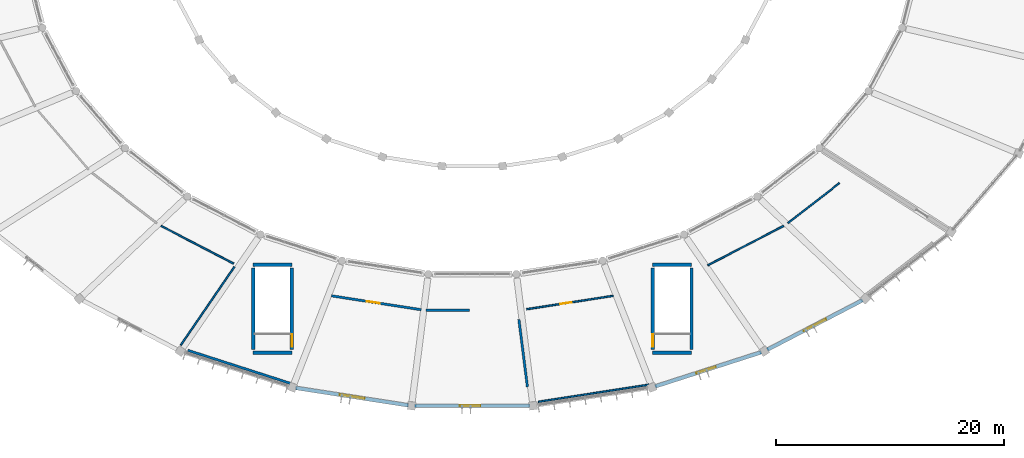
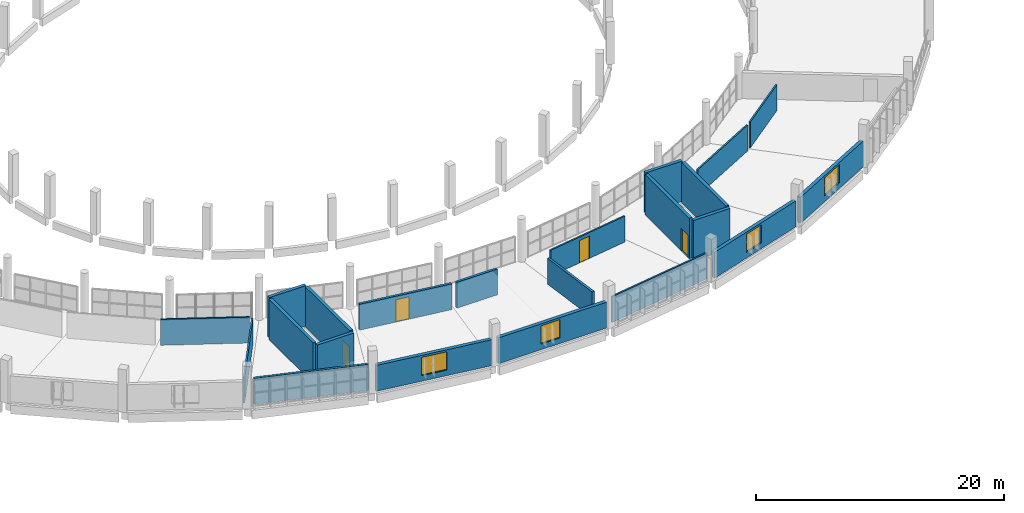
# One storey, part 97 of 142: 22 walls, 4 doors, 4 windows, 8 openings.
"""IFC4 building model written with IfcOpenShell, lengths in metres."""

from ifc_helpers import new_model, si_unit, direction, frame, frame_2d, origin, place, context, subcontext, project, spatial, rectangle, extrude, material, layer, layer_set, type_object, element, fill, save


model = new_model("IFC4")

# Units and contexts
model_context = context("Model", 3, precision=1e-05, world=origin(), true_north=direction((0.0, 1.0)))
body_context = subcontext(model_context, "Body", "Model", "MODEL_VIEW")
ifc_project = project(units=[si_unit("LENGTHUNIT", "METRE"), si_unit("AREAUNIT", "SQUARE_METRE"), si_unit("VOLUMEUNIT", "CUBIC_METRE"), si_unit("PLANEANGLEUNIT", "RADIAN"), si_unit("MASSUNIT", "GRAM", prefix="KILO")], contexts=[model_context])

# Site, building, storey
site_placement = place(None, origin())
site = spatial("IfcSite", under=ifc_project, at=site_placement, CompositionType="ELEMENT")
building_placement = place(site_placement, origin())
building = spatial("IfcBuilding", under=site, at=building_placement, Name="Corvandel Quay Wholesale Market", CompositionType="ELEMENT")
storey_placement = place(building_placement, frame((0.0, 0.0, 10.800048828125)))
storey = spatial("IfcBuildingStorey", under=building, at=storey_placement, Name="L02", CompositionType="ELEMENT", Elevation=10.800048828125)

# Wall
ifc_material_1 = material(Name="Gypsum-clad steel stud framing", Category="steel")
ifc_layer_1 = layer(ifc_material_1, 0.2099609375)
ifc_layer_set_1 = layer_set([ifc_layer_1], Name="Gypsum-clad steel stud framing")
wall_type_1 = type_object("IfcWallType", Name="Corridor Rated Partition PT02 210", PredefinedType="PARTITIONING", material=ifc_layer_set_1)
wall_1_placement = place(storey_placement, frame((98.1044921875, 1.95458984375, 0.0), z_axis=(0.0, 0.0, 1.0), x_axis=(-0.951831028097, 0.306623048632, 0.0)))
element("IfcWall", 1, at=wall_1_placement, inside=storey, type_object=wall_type_1, Name="Interior Wall IW-0553", PredefinedType="PARTITIONING", context=body_context, shape_type="SweptSolid", body=[
    extrude(rectangle(XDim=9.487060546875, YDim=0.2099609375, at=frame_2d((4.74365234375, 0.0))), origin(), (0.0, 0.0, 1.0), 2.550048828125),
])

# Wall, opening, door
wall_2_placement = place(storey_placement, frame((101.65234375, 9.63720703125, 0.0), z_axis=(0.0, 0.0, 1.0), x_axis=(0.988219840668, -0.153040996176, 0.0)))
wall_2 = element("IfcWall", 2, at=wall_2_placement, inside=storey, type_object=wall_type_1, Name="Interior Wall IW-0554", PredefinedType="PARTITIONING", context=body_context, shape_type="SweptSolid", body=[
    extrude(rectangle(XDim=7.9619140625, YDim=0.2099609375, at=frame_2d((3.98095703125, 0.0))), origin(), (0.0, 0.0, 1.0), 2.550048828125),
])
opening_1_placement = place(wall_2_placement, frame((3.131103515625, 0.0, 0.0)))
opening_1 = element("IfcOpeningElement", 3, at=opening_1_placement, cuts=wall_2, Name="Opening L02-D035", PredefinedType="OPENING", context=body_context, shape_type="SweptSolid", body=[
    extrude(rectangle(XDim=1.14990234375, YDim=2.199951171875, at=frame_2d((0.574951171875, 1.10009765625))), frame((0.0, 0.114990234375, 0.0), z_axis=(0.0, -1.0, 0.0), x_axis=(1.0, 0.0, 0.0)), (0.0, 0.0, 1.0), 0.22998046875),
])
ifc_material_2 = material(Name="HPL-faced hygienic timber core", Category="wood")
door_type_1 = type_object("IfcDoorType", Name="Inspection Suite Door ID21 1150x2200R", OperationType="SINGLE_SWING_RIGHT", PredefinedType="DOOR", material=ifc_material_2)
door_1_placement = place(opening_1_placement, origin())
door_1 = element("IfcDoor", 4, at=door_1_placement, inside=storey, type_object=door_type_1, Name="Horticultural Export Inspection Suite Door", OperationType="SINGLE_SWING_RIGHT", OverallHeight=2.199951171875, OverallWidth=1.14990234375, PredefinedType="DOOR", context=body_context, shape_type="SweptSolid", body=[
    extrude(rectangle(XDim=1.14990234375, YDim=2.199951171875, at=frame_2d((0.574951171875, 1.10009765625))), frame((0.0, 0.02490234375, 0.0), z_axis=(0.0, -1.0, 0.0), x_axis=(1.0, 0.0, 0.0)), (0.0, 0.0, 1.0), 0.050048828125),
])
fill(opening_1, door_1)

# Walls
wall_3_placement = place(storey_placement, frame((109.9580078125, 8.385009765625, 0.0), z_axis=(0.0, 0.0, 1.0), x_axis=(0.999999966485, -0.000258899668, 0.0)))
element("IfcWall", 5, at=wall_3_placement, inside=storey, type_object=wall_type_1, Name="Interior Wall IW-0555", PredefinedType="PARTITIONING", context=body_context, shape_type="SweptSolid", body=[
    extrude(rectangle(XDim=3.77197265625, YDim=0.2099609375, at=frame_2d((1.885986328125, 0.0))), origin(), (0.0, 0.0, 1.0), 2.550048828125),
])
wall_4_placement = place(storey_placement, frame((118.07763671875, 7.572509765625, 0.0), z_axis=(0.0, 0.0, 1.0), x_axis=(0.125609828924, -0.992079720021, 0.0)))
element("IfcWall", 6, at=wall_4_placement, inside=storey, type_object=wall_type_1, Name="Interior Wall IW-0556", PredefinedType="PARTITIONING", context=body_context, shape_type="SweptSolid", body=[
    extrude(rectangle(XDim=5.951416015625, YDim=0.2099609375, at=frame_2d((2.9755859375, 0.0))), origin(), (0.0, 0.0, 1.0), 2.550048828125),
])
ifc_material_3 = material(Name="Double-layer acoustic gypsum stud partition")
ifc_layer_2 = layer(ifc_material_3, 0.139892578125)
ifc_layer_set_2 = layer_set([ifc_layer_2], Name="Double-layer acoustic gypsum stud partition")
wall_type_2 = type_object("IfcWallType", Name="Office Acoustic Partition PT07 140", PredefinedType="PARTITIONING", material=ifc_layer_set_2)
wall_5_placement = place(storey_placement, frame((86.72314453125, 15.7666015625, 0.0), z_axis=(0.0, 0.0, 1.0), x_axis=(0.887310345139, -0.461172799946, 0.0)))
element("IfcWall", 7, at=wall_5_placement, inside=storey, type_object=wall_type_2, Name="Interior Wall IW-0551", PredefinedType="PARTITIONING", context=body_context, shape_type="SweptSolid", body=[
    extrude(rectangle(XDim=7.177490234375, YDim=0.139892578125, at=frame_2d((3.5888671875, 0.0))), origin(), (0.0, 0.0, 1.0), 2.550048828125),
])
wall_6_placement = place(storey_placement, frame((93.162353515625, 12.173583984375, 0.0), z_axis=(0.0, 0.0, 1.0), x_axis=(-0.566432825246, -0.824107914343, 0.0)))
element("IfcWall", 8, at=wall_6_placement, inside=storey, type_object=wall_type_2, Name="Interior Wall IW-0552", PredefinedType="PARTITIONING", context=body_context, shape_type="SweptSolid", body=[
    extrude(rectangle(XDim=8.311279296875, YDim=0.139892578125, at=frame_2d((4.15576171875, 0.0))), origin(), (0.0, 0.0, 1.0), 2.550048828125),
])
wall_7_placement = place(storey_placement, frame((134.625244140625, 12.30859375, 0.0), z_axis=(0.0, 0.0, 1.0), x_axis=(0.887262118728, 0.461265577158, 0.0)))
element("IfcWall", 9, at=wall_7_placement, inside=storey, type_object=wall_type_2, Name="Interior Wall IW-0557", PredefinedType="PARTITIONING", context=body_context, shape_type="SweptSolid", body=[
    extrude(rectangle(XDim=7.496826171875, YDim=0.139892578125, at=frame_2d((3.74853515625, 0.0))), origin(), (0.0, 0.0, 1.0), 2.550048828125),
])
wall_8_placement = place(storey_placement, frame((141.645751953125, 16.0029296875, 0.0), z_axis=(0.0, 0.0, 1.0), x_axis=(0.7895155835, 0.613730513671, 0.0)))
element("IfcWall", 10, at=wall_8_placement, inside=storey, type_object=wall_type_2, Name="Interior Wall IW-0558", PredefinedType="PARTITIONING", context=body_context, shape_type="SweptSolid", body=[
    extrude(rectangle(XDim=5.71240234375, YDim=0.139892578125, at=frame_2d((2.856201171875, 0.0))), origin(), (0.0, 0.0, 1.0), 2.550048828125),
])
wall_9_placement = place(storey_placement, frame((129.468505859375, 1.853515625, 0.0), z_axis=(0.0, 0.0, 1.0), x_axis=(-0.988245282414, -0.152876622761, 0.0)))
element("IfcWall", 11, at=wall_9_placement, inside=storey, type_object=wall_type_2, Name="Interior Wall IW-0560", PredefinedType="PARTITIONING", context=body_context, shape_type="SweptSolid", body=[
    extrude(rectangle(XDim=9.805419921875, YDim=0.139892578125, at=frame_2d((4.90283203125, 0.0))), origin(), (0.0, 0.0, 1.0), 2.550048828125),
])

# Wall, opening, door
wall_10_placement = place(storey_placement, frame((118.75146484375, 8.460693359375, 0.0), z_axis=(0.0, 0.0, 1.0), x_axis=(0.988236210786, 0.152935253267, 0.0)))
wall_10 = element("IfcWall", 12, at=wall_10_placement, inside=storey, type_object=wall_type_2, Name="Interior Wall IW-0561", PredefinedType="PARTITIONING", context=body_context, shape_type="SweptSolid", body=[
    extrude(rectangle(XDim=7.667236328125, YDim=0.139892578125, at=frame_2d((3.83349609375, 0.0))), origin(), (0.0, 0.0, 1.0), 2.550048828125),
])
opening_2_placement = place(wall_10_placement, frame((2.98388671875, 0.0, 0.0)))
opening_2 = element("IfcOpeningElement", 13, at=opening_2_placement, cuts=wall_10, Name="Opening L02-D036", PredefinedType="OPENING", context=body_context, shape_type="SweptSolid", body=[
    extrude(rectangle(XDim=1.0, YDim=2.199951171875, at=frame_2d((0.5, 1.10009765625))), frame((0.0, 0.079833984375, 0.0), z_axis=(0.0, -1.0, 0.0), x_axis=(1.0, 0.0, 0.0)), (0.0, 0.0, 1.0), 0.159912109375),
])
ifc_material_4 = material(Name="Stained oak solid-core acoustic timber", Category="wood")
door_type_2 = type_object("IfcDoorType", Name="Office Entry Door ID09 1000x2200L", OperationType="SINGLE_SWING_LEFT", PredefinedType="DOOR", material=ifc_material_4)
door_2_placement = place(opening_2_placement, origin())
door_2 = element("IfcDoor", 14, at=door_2_placement, inside=storey, type_object=door_type_2, Name="Traders Terrace Lounge V1 Door", OperationType="SINGLE_SWING_LEFT", OverallHeight=2.199951171875, OverallWidth=1.0, PredefinedType="DOOR", context=body_context, shape_type="SweptSolid", body=[
    extrude(rectangle(XDim=1.0, YDim=2.199951171875, at=frame_2d((0.5, 1.10009765625))), frame((0.0, 0.02490234375, 0.0), z_axis=(0.0, -1.0, 0.0), x_axis=(1.0, 0.0, 0.0)), (0.0, 0.0, 1.0), 0.050048828125),
])
fill(opening_2, door_2)

# Wall, opening, window
ifc_material_5 = material(Name="Buff-pigmented precast concrete C45/55", Category="concrete")
ifc_layer_3 = layer(ifc_material_5, 0.320068359375)
ifc_layer_set_3 = layer_set([ifc_layer_3], Name="Buff-pigmented precast concrete C45/55")
wall_type_3 = type_object("IfcWallType", Name="Sandstone Buff Precast Wall EW02 320", PredefinedType="SOLIDWALL", material=ifc_layer_set_3)
wall_11_placement = place(storey_placement, frame((98.515869140625, 1.57275390625, 0.0), z_axis=(0.0, 0.0, 1.0), x_axis=(0.988241433344, -0.152901502352, 0.0)))
wall_11 = element("IfcWall", 15, at=wall_11_placement, inside=storey, type_object=wall_type_3, Name="Exterior Wall EW-0063", PredefinedType="SOLIDWALL", context=body_context, shape_type="SweptSolid", body=[
    extrude(rectangle(XDim=10.01611328125, YDim=0.320068359375, at=frame_2d((5.008056640625, 0.0))), origin(), (0.0, 0.0, 1.0), 2.550048828125),
])
opening_3_placement = place(wall_11_placement, frame((3.907958984375, 0.0, 0.550048828125)))
opening_3 = element("IfcOpeningElement", 16, at=opening_3_placement, cuts=wall_11, Name="Opening L02-W014", PredefinedType="OPENING", context=body_context, shape_type="SweptSolid", body=[
    extrude(rectangle(XDim=2.199951171875, YDim=1.800048828125, at=frame_2d((1.10009765625, 0.89990234375))), frame((0.0, 0.169921875, 0.0), z_axis=(0.0, -1.0, 0.0), x_axis=(1.0, 0.0, 0.0)), (0.0, 0.0, 1.0), 0.340087890625),
])
ifc_material_6 = material(Name="Thermally broken bronze anodised aluminium and solar-control low-E double glazing", Category="aluminium")
window_type_1 = type_object("IfcWindowType", Name="Brokers Office Window WN03 2200x1800", PartitioningType="SINGLE_PANEL", PredefinedType="WINDOW", material=ifc_material_6)
window_1_placement = place(opening_3_placement, origin())
window_1 = element("IfcWindow", 17, at=window_1_placement, inside=storey, type_object=window_type_1, Name="Window L02-W014", OverallHeight=1.800048828125, OverallWidth=2.199951171875, PartitioningType="SINGLE_PANEL", PredefinedType="WINDOW", context=body_context, shape_type="SweptSolid", body=[
    extrude(rectangle(XDim=2.199951171875, YDim=1.800048828125, at=frame_2d((1.10009765625, 0.89990234375))), frame((0.0, 0.030029296875, 0.0), z_axis=(0.0, -1.0, 0.0), x_axis=(1.0, 0.0, 0.0)), (0.0, 0.0, 1.0), 0.06005859375),
])
fill(opening_3, window_1)

wall_12_placement = place(storey_placement, frame((108.950927734375, 0.0, 0.0), z_axis=(0.0, 0.0, 1.0), x_axis=(1.0, 0.0, 0.0)))
wall_12 = element("IfcWall", 18, at=wall_12_placement, inside=storey, type_object=wall_type_3, Name="Exterior Wall EW-0066", PredefinedType="SOLIDWALL", context=body_context, shape_type="SweptSolid", body=[
    extrude(rectangle(XDim=10.09814453125, YDim=0.320068359375, at=frame_2d((5.049072265625, 0.0))), origin(), (0.0, 0.0, 1.0), 2.550048828125),
])
opening_4_placement = place(wall_12_placement, frame((3.948974609375, 0.0, 0.550048828125)))
opening_4 = element("IfcOpeningElement", 19, at=opening_4_placement, cuts=wall_12, Name="Opening L02-W015", PredefinedType="OPENING", context=body_context, shape_type="SweptSolid", body=[
    extrude(rectangle(XDim=1.800048828125, YDim=1.800048828125, at=frame_2d((0.89990234375, 0.89990234375))), frame((0.0, 0.169921875, 0.0), z_axis=(0.0, -1.0, 0.0), x_axis=(1.0, 0.0, 0.0)), (0.0, 0.0, 1.0), 0.340087890625),
])
window_type_2 = type_object("IfcWindowType", Name="Brokers Corner Window WN04 1800x1800", PartitioningType="SINGLE_PANEL", PredefinedType="WINDOW", material=ifc_material_6)
window_2_placement = place(opening_4_placement, origin())
window_2 = element("IfcWindow", 20, at=window_2_placement, inside=storey, type_object=window_type_2, Name="Window L02-W015", OverallHeight=1.800048828125, OverallWidth=1.800048828125, PartitioningType="SINGLE_PANEL", PredefinedType="WINDOW", context=body_context, shape_type="SweptSolid", body=[
    extrude(rectangle(XDim=1.800048828125, YDim=1.800048828125, at=frame_2d((0.89990234375, 0.89990234375))), frame((0.0, 0.030029296875, 0.0), z_axis=(0.0, -1.0, 0.0), x_axis=(1.0, 0.0, 0.0)), (0.0, 0.0, 1.0), 0.06005859375),
])
fill(opening_4, window_2)

wall_13_placement = place(storey_placement, frame((130.008056640625, 1.69677734375, 0.0), z_axis=(0.0, 0.0, 1.0), x_axis=(0.95182847269, 0.30663098111, 0.0)))
wall_13 = element("IfcWall", 21, at=wall_13_placement, inside=storey, type_object=wall_type_3, Name="Exterior Wall EW-0070", PredefinedType="SOLIDWALL", context=body_context, shape_type="SweptSolid", body=[
    extrude(rectangle(XDim=9.785400390625, YDim=0.320068359375, at=frame_2d((4.892578125, 0.0))), origin(), (0.0, 0.0, 1.0), 2.550048828125),
])
opening_5_placement = place(wall_13_placement, frame((3.79296875, 0.0, 0.550048828125)))
opening_5 = element("IfcOpeningElement", 22, at=opening_5_placement, cuts=wall_13, Name="Opening L02-W016", PredefinedType="OPENING", context=body_context, shape_type="SweptSolid", body=[
    extrude(rectangle(XDim=1.800048828125, YDim=1.800048828125, at=frame_2d((0.89990234375, 0.89990234375))), frame((0.0, 0.169921875, 0.0), z_axis=(0.0, -1.0, 0.0), x_axis=(1.0, 0.0, 0.0)), (0.0, 0.0, 1.0), 0.340087890625),
])
window_3_placement = place(opening_5_placement, origin())
window_3 = element("IfcWindow", 23, at=window_3_placement, inside=storey, type_object=window_type_2, Name="Window L02-W016", OverallHeight=1.800048828125, OverallWidth=1.800048828125, PartitioningType="SINGLE_PANEL", PredefinedType="WINDOW", context=body_context, shape_type="SweptSolid", body=[
    extrude(rectangle(XDim=1.800048828125, YDim=1.800048828125, at=frame_2d((0.89990234375, 0.89990234375))), frame((0.0, 0.030029296875, 0.0), z_axis=(0.0, -1.0, 0.0), x_axis=(1.0, 0.0, 0.0)), (0.0, 0.0, 1.0), 0.06005859375),
])
fill(opening_5, window_3)

wall_14_placement = place(storey_placement, frame((139.818603515625, 4.904541015625, 0.0), z_axis=(0.0, 0.0, 1.0), x_axis=(0.887335924519, 0.461123581112, 0.0)))
wall_14 = element("IfcWall", 24, at=wall_14_placement, inside=storey, type_object=wall_type_3, Name="Exterior Wall EW-0073", PredefinedType="SOLIDWALL", context=body_context, shape_type="SweptSolid", body=[
    extrude(rectangle(XDim=9.4267578125, YDim=0.320068359375, at=frame_2d((4.71337890625, 0.0))), origin(), (0.0, 0.0, 1.0), 2.550048828125),
])
opening_6_placement = place(wall_14_placement, frame((3.613037109375, 0.0, 0.550048828125)))
opening_6 = element("IfcOpeningElement", 25, at=opening_6_placement, cuts=wall_14, Name="Opening L02-W017", PredefinedType="OPENING", context=body_context, shape_type="SweptSolid", body=[
    extrude(rectangle(XDim=2.199951171875, YDim=1.800048828125, at=frame_2d((1.10009765625, 0.89990234375))), frame((0.0, 0.169921875, 0.0), z_axis=(0.0, -1.0, 0.0), x_axis=(1.0, 0.0, 0.0)), (0.0, 0.0, 1.0), 0.340087890625),
])
window_4_placement = place(opening_6_placement, origin())
window_4 = element("IfcWindow", 26, at=window_4_placement, inside=storey, type_object=window_type_1, Name="Window L02-W017", OverallHeight=1.800048828125, OverallWidth=2.199951171875, PartitioningType="SINGLE_PANEL", PredefinedType="WINDOW", context=body_context, shape_type="SweptSolid", body=[
    extrude(rectangle(XDim=2.199951171875, YDim=1.800048828125, at=frame_2d((1.10009765625, 0.89990234375))), frame((0.0, 0.030029296875, 0.0), z_axis=(0.0, -1.0, 0.0), x_axis=(1.0, 0.0, 0.0)), (0.0, 0.0, 1.0), 0.06005859375),
])
fill(opening_6, window_4)

# Walls
ifc_material_7 = material(Name="Concrete C40/50", Category="concrete")
ifc_layer_4 = layer(ifc_material_7, 0.300048828125)
ifc_layer_set_4 = layer_set([ifc_layer_4], Name="Concrete C40/50")
wall_type_4 = type_object("IfcWallType", Name="Stair Shaft Shear Wall SW02 300", PredefinedType="SHEAR", material=ifc_layer_set_4)
for number, where, z_axis, x_axis, name in (
    (27, (94.800048828125, 4.64990234375, 0.0), (0.0, 0.0, 1.0), (1.0, 0.0, 0.0), "Shear Wall IW-0033"),
    (28, (94.800048828125, 12.35009765625, 0.0), (0.0, 0.0, 1.0), (1.0, 0.0, 0.0), "Shear Wall IW-0034"),
):
    element("IfcWall", number, at=place(storey_placement, frame(where, z_axis=z_axis, x_axis=x_axis)), inside=storey, type_object=wall_type_4, Name=name, PredefinedType="SHEAR", context=body_context, shape_type="SweptSolid", body=[
        extrude(rectangle(XDim=3.39990234375, YDim=0.300048828125, at=frame_2d((1.699951171875, 0.0))), origin(), (0.0, 0.0, 1.0), 3.97998046875),
    ])
wall_15_placement = place(storey_placement, frame((94.800048828125, 4.93994140625, 0.0), z_axis=(0.0, 0.0, 1.0), x_axis=(0.0, 1.0, 0.0)))
element("IfcWall", 29, at=wall_15_placement, inside=storey, type_object=wall_type_4, Name="Shear Wall IW-0035", PredefinedType="SHEAR", context=body_context, shape_type="SweptSolid", body=[
    extrude(rectangle(XDim=7.1201171875, YDim=0.300048828125, at=frame_2d((3.56005859375, 0.0))), origin(), (0.0, 0.0, 1.0), 3.97998046875),
])

# Wall, opening, door
wall_16_placement = place(storey_placement, frame((98.199951171875, 4.93994140625, 0.0), z_axis=(0.0, 0.0, 1.0), x_axis=(0.0, 1.0, 0.0)))
wall_16 = element("IfcWall", 30, at=wall_16_placement, inside=storey, type_object=wall_type_4, Name="Shear Wall IW-0036", PredefinedType="SHEAR", context=body_context, shape_type="SweptSolid", body=[
    extrude(rectangle(XDim=7.1201171875, YDim=0.300048828125, at=frame_2d((3.56005859375, 0.0))), origin(), (0.0, 0.0, 1.0), 3.97998046875),
])
opening_7_placement = place(wall_16_placement, frame((0.219970703125, 0.0, 0.0)))
opening_7 = element("IfcOpeningElement", 31, at=opening_7_placement, cuts=wall_16, Name="Opening L02-D009", PredefinedType="OPENING", context=body_context, shape_type="SweptSolid", body=[
    extrude(rectangle(XDim=1.10009765625, YDim=2.199951171875, at=frame_2d((0.550048828125, 1.10009765625))), frame((0.0, 0.159912109375, 0.0), z_axis=(0.0, -1.0, 0.0), x_axis=(1.0, 0.0, 0.0)), (0.0, 0.0, 1.0), 0.320068359375),
])
ifc_material_8 = material(Name="Galvanised fire-rated hollow steel", Category="steel")
door_type_3 = type_object("IfcDoorType", Name="Exit Stair Fire Door ID01 1100x2200L", OperationType="SINGLE_SWING_LEFT", PredefinedType="DOOR", material=ifc_material_8)
door_3_placement = place(opening_7_placement, origin())
door_3 = element("IfcDoor", 32, at=door_3_placement, inside=storey, type_object=door_type_3, Name="Exit Stair Door SH03-L02", OperationType="SINGLE_SWING_LEFT", OverallHeight=2.199951171875, OverallWidth=1.10009765625, PredefinedType="DOOR", context=body_context, shape_type="SweptSolid", body=[
    extrude(rectangle(XDim=1.10009765625, YDim=2.199951171875, at=frame_2d((0.550048828125, 1.10009765625))), frame((0.0, 0.02490234375, 0.0), z_axis=(0.0, -1.0, 0.0), x_axis=(1.0, 0.0, 0.0)), (0.0, 0.0, 1.0), 0.050048828125),
])
fill(opening_7, door_3)

# Walls
for number, where, z_axis, x_axis, name in (
    (33, (129.800048828125, 4.64990234375, 0.0), (0.0, 0.0, 1.0), (1.0, 0.0, 0.0), "Shear Wall IW-0045"),
    (34, (129.800048828125, 12.35009765625, 0.0), (0.0, 0.0, 1.0), (1.0, 0.0, 0.0), "Shear Wall IW-0046"),
):
    element("IfcWall", number, at=place(storey_placement, frame(where, z_axis=z_axis, x_axis=x_axis)), inside=storey, type_object=wall_type_4, Name=name, PredefinedType="SHEAR", context=body_context, shape_type="SweptSolid", body=[
        extrude(rectangle(XDim=3.39990234375, YDim=0.300048828125, at=frame_2d((1.699951171875, 0.0))), origin(), (0.0, 0.0, 1.0), 3.97998046875),
    ])

# Wall, opening, door
wall_17_placement = place(storey_placement, frame((129.800048828125, 4.93994140625, 0.0), z_axis=(0.0, 0.0, 1.0), x_axis=(0.0, 1.0, 0.0)))
wall_17 = element("IfcWall", 35, at=wall_17_placement, inside=storey, type_object=wall_type_4, Name="Shear Wall IW-0047", PredefinedType="SHEAR", context=body_context, shape_type="SweptSolid", body=[
    extrude(rectangle(XDim=7.1201171875, YDim=0.300048828125, at=frame_2d((3.56005859375, 0.0))), origin(), (0.0, 0.0, 1.0), 3.97998046875),
])
opening_8_placement = place(wall_17_placement, frame((0.219970703125, 0.0, 0.0)))
opening_8 = element("IfcOpeningElement", 36, at=opening_8_placement, cuts=wall_17, Name="Opening L02-D010", PredefinedType="OPENING", context=body_context, shape_type="SweptSolid", body=[
    extrude(rectangle(XDim=1.10009765625, YDim=2.199951171875, at=frame_2d((0.550048828125, 1.10009765625))), frame((0.0, 0.159912109375, 0.0), z_axis=(0.0, -1.0, 0.0), x_axis=(1.0, 0.0, 0.0)), (0.0, 0.0, 1.0), 0.320068359375),
])
door_type_4 = type_object("IfcDoorType", Name="Exit Stair Fire Door ID02 1100x2200R", OperationType="SINGLE_SWING_RIGHT", PredefinedType="DOOR", material=ifc_material_8)
door_4_placement = place(opening_8_placement, origin())
door_4 = element("IfcDoor", 37, at=door_4_placement, inside=storey, type_object=door_type_4, Name="Exit Stair Door SH04-L02", OperationType="SINGLE_SWING_RIGHT", OverallHeight=2.199951171875, OverallWidth=1.10009765625, PredefinedType="DOOR", context=body_context, shape_type="SweptSolid", body=[
    extrude(rectangle(XDim=1.10009765625, YDim=2.199951171875, at=frame_2d((0.550048828125, 1.10009765625))), frame((0.0, 0.02490234375, 0.0), z_axis=(0.0, -1.0, 0.0), x_axis=(1.0, 0.0, 0.0)), (0.0, 0.0, 1.0), 0.050048828125),
])
fill(opening_8, door_4)

# Wall
wall_18_placement = place(storey_placement, frame((133.199951171875, 4.93994140625, 0.0), z_axis=(0.0, 0.0, 1.0), x_axis=(0.0, 1.0, 0.0)))
element("IfcWall", 38, at=wall_18_placement, inside=storey, type_object=wall_type_4, Name="Shear Wall IW-0048", PredefinedType="SHEAR", context=body_context, shape_type="SweptSolid", body=[
    extrude(rectangle(XDim=7.1201171875, YDim=0.300048828125, at=frame_2d((3.56005859375, 0.0))), origin(), (0.0, 0.0, 1.0), 3.97998046875),
])

save(model, "model.ifc")
